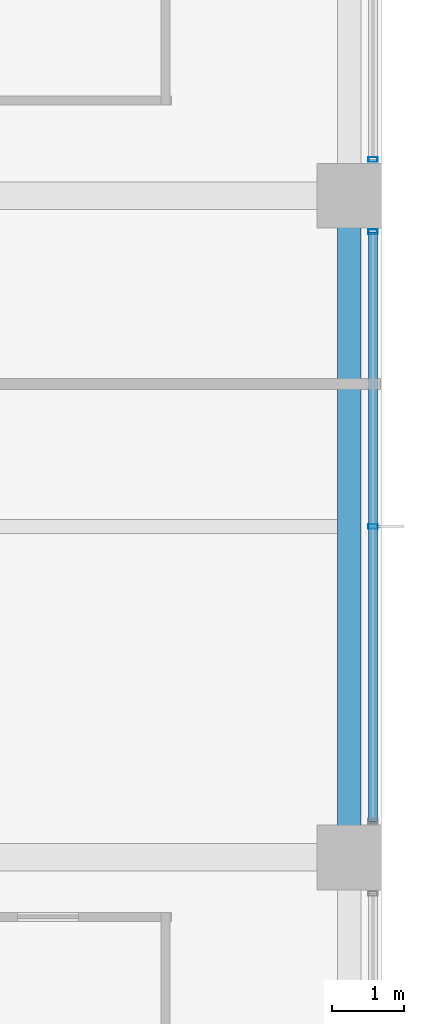
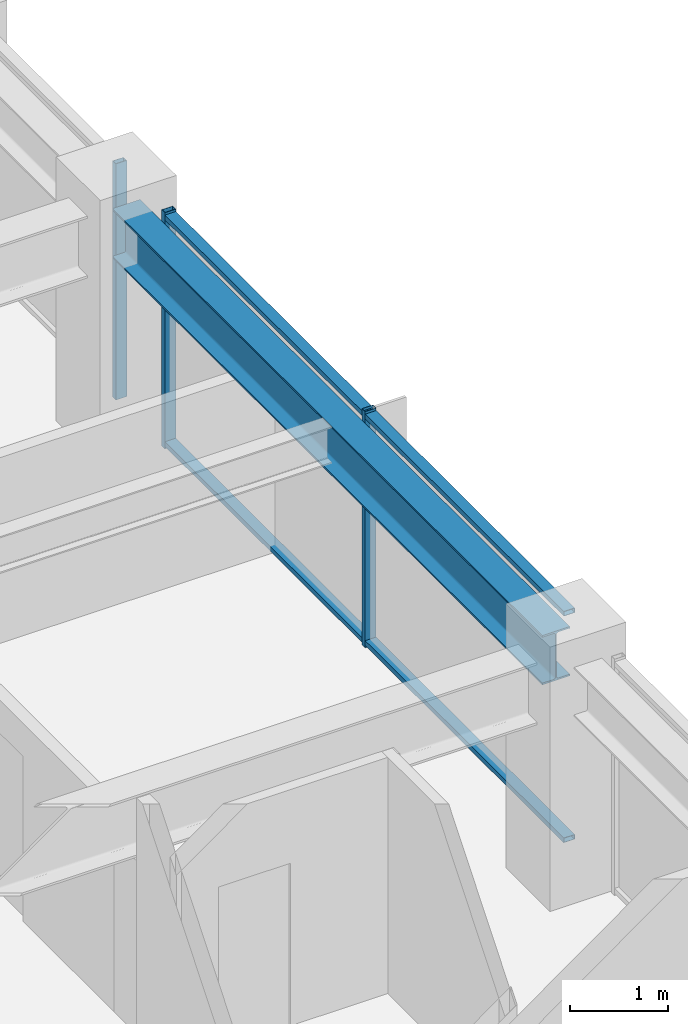
# One storey, part 14 of 31: 5 members, 1 beam, 2 elements without a shape of their own.
"""IFC4 building model written with IfcOpenShell, lengths in metres."""

from ifc_helpers import new_model, si_unit, direction, frame, origin, origin_2d, place, context, subcontext, project, spatial, hollow_rectangle, i_section, extrude, material, material_profile, profile_set, type_object, element, aggregate, save


model = new_model("IFC4")

# Units and contexts
model_context = context("Model", 3, precision=1e-05, world=origin(), true_north=direction((0.0, 1.0)))
body_context = subcontext(model_context, "Body", "Model", "MODEL_VIEW")
ifc_project = project(units=[si_unit("LENGTHUNIT", "METRE"), si_unit("AREAUNIT", "SQUARE_METRE"), si_unit("VOLUMEUNIT", "CUBIC_METRE"), si_unit("PLANEANGLEUNIT", "RADIAN"), si_unit("MASSUNIT", "GRAM", prefix="KILO")], contexts=[model_context])

# Site, building, storey
site_placement = place(None, origin())
site = spatial("IfcSite", under=ifc_project, at=site_placement, CompositionType="ELEMENT")
building_placement = place(site_placement, origin())
building = spatial("IfcBuilding", under=site, at=building_placement, Name="Kolvaren Belvedere", CompositionType="ELEMENT")
storey_placement = place(building_placement, frame((0.0, 0.0, 144.800048828125)))
storey = spatial("IfcBuildingStorey", under=building, at=storey_placement, Name="L42", CompositionType="ELEMENT", Elevation=144.800048828125)

# Beam
ifc_material_1 = material(Name="Structural steel ASTM A992 Grade 50", Category="steel")
ifc_material_profile_1 = material_profile(ifc_material_1, i_section(OverallWidth=0.324951171875, OverallDepth=0.615966796875, WebThickness=0.013916015625, FlangeThickness=0.021484375, FilletRadius=0.02001953125, at=origin_2d()), Name="W24X117")
ifc_profile_set_1 = profile_set([ifc_material_profile_1], Name="Structural steel ASTM A992 Grade 50")
beam_type = type_object("IfcBeamType", Name="BM-SPAN-W24X117", PredefinedType="SPANDREL", material=ifc_profile_set_1)
beam_placement = place(storey_placement, frame((17.550048828125, -4.3974609375, 2.641845703125), z_axis=(0.0, 1.0, 0.0), x_axis=(-1.0, 0.0, 0.0)))
element("IfcBeam", 1, at=beam_placement, inside=storey, type_object=beam_type, Name="L42 Perimeter Spandrel E2-E3", PredefinedType="SPANDREL", context=body_context, shape_type="SweptSolid", body=[
    extrude(i_section(OverallWidth=0.324951171875, OverallDepth=0.615966796875, WebThickness=0.013916015625, FlangeThickness=0.021484375, FilletRadius=0.02001953125, at=origin_2d()), origin(), (0.0, 0.0, 1.0), 8.794921875),
])

# Curtain wall, member
ifc_material_2 = material(Name="Anodised pale-metal aluminium AA 6063-T6", Category="aluminium")
curtain_wall_type = type_object("IfcCurtainWallType", Name="CW-Z3-WAIST", PredefinedType="NOTDEFINED", material=ifc_material_2)
curtain_wall_1_placement = place(storey_placement, origin())
curtain_wall_1 = element("IfcCurtainWall", 2, at=curtain_wall_1_placement, inside=storey, type_object=curtain_wall_type, Name="L42 Unitised Curtain Wall FCW-L42-E-B1", PredefinedType="NOTDEFINED")
ifc_material_3 = material(Name="Anodised pale-metal aluminium AA 6063-T6", Category="aluminium")
ifc_material_profile_2 = material_profile(ifc_material_3, hollow_rectangle(XDim=0.06494140625, YDim=0.1298828125, WallThickness=0.00390625, at=origin_2d()), Name="ALU-MUL-130X65")
ifc_profile_set_2 = profile_set([ifc_material_profile_2], Name="Anodised pale-metal aluminium AA 6063-T6")
member_type_1 = type_object("IfcMemberType", Name="CW-MUL-130", PredefinedType="MULLION", material=ifc_profile_set_2)
member_1_placement = place(storey_placement, frame((17.8798828125, 5.1025390625, 0.0), z_axis=(0.0, 0.0, 1.0), x_axis=(0.0, 1.0, 0.0)))
member_1 = element("IfcMember", 3, at=member_1_placement, type_object=member_type_1, Name="FCW-L42-E-B1 Unitised Mullion 3", PredefinedType="MULLION", context=body_context, shape_type="SweptSolid", body=[
    extrude(hollow_rectangle(XDim=0.06494140625, YDim=0.1298828125, WallThickness=0.00390625, at=origin_2d()), origin(), (0.0, 0.0, 1.0), 2.949951171875),
])
aggregate(curtain_wall_1, [member_1])

# Curtain wall, members
curtain_wall_2_placement = place(storey_placement, origin())
curtain_wall_2 = element("IfcCurtainWall", 4, at=curtain_wall_2_placement, inside=storey, type_object=curtain_wall_type, Name="L42 Unitised Curtain Wall FCW-L42-E-B2", PredefinedType="NOTDEFINED")
member_2_placement = place(storey_placement, frame((17.8798828125, 4.097412109375, 0.0), z_axis=(0.0, 0.0, 1.0), x_axis=(0.0, 1.0, 0.0)))
member_2 = element("IfcMember", 5, at=member_2_placement, type_object=member_type_1, Name="FCW-L42-E-B2 Unitised Mullion 1", PredefinedType="MULLION", context=body_context, shape_type="SweptSolid", body=[
    extrude(hollow_rectangle(XDim=0.06494140625, YDim=0.1298828125, WallThickness=0.00390625, at=origin_2d()), origin(), (0.0, 0.0, 1.0), 2.949951171875),
])
member_3_placement = place(storey_placement, frame((17.8798828125, 0.0, 0.0), z_axis=(0.0, 0.0, 1.0), x_axis=(0.0, 1.0, 0.0)))
member_3 = element("IfcMember", 6, at=member_3_placement, type_object=member_type_1, Name="FCW-L42-E-B2 Unitised Mullion 2", PredefinedType="MULLION", context=body_context, shape_type="SweptSolid", body=[
    extrude(hollow_rectangle(XDim=0.06494140625, YDim=0.1298828125, WallThickness=0.00390625, at=origin_2d()), origin(), (0.0, 0.0, 1.0), 2.949951171875),
])
ifc_material_4 = material(Name="Anodised pale-metal aluminium AA 6063-T6", Category="aluminium")
ifc_material_profile_3 = material_profile(ifc_material_4, hollow_rectangle(XDim=0.06005859375, YDim=0.1298828125, WallThickness=0.00390625, at=origin_2d()), Name="ALU-TRN-130X60")
ifc_profile_set_3 = profile_set([ifc_material_profile_3], Name="Anodised pale-metal aluminium AA 6063-T6")
member_type_2 = type_object("IfcMemberType", Name="CW-TRN-130", PredefinedType="USERDEFINED", material=ifc_profile_set_3)
member_4_placement = place(storey_placement, frame((17.8798828125, 4.097412109375, 0.06005859375), z_axis=(0.0, -1.0, 0.0), x_axis=(0.0, 0.0, 1.0)))
member_4 = element("IfcMember", 7, at=member_4_placement, type_object=member_type_2, Name="FCW-L42-E-B2 Sill Transom", ObjectType="TRANSOM", PredefinedType="USERDEFINED", context=body_context, shape_type="SweptSolid", body=[
    extrude(hollow_rectangle(XDim=0.06005859375, YDim=0.1298828125, WallThickness=0.00390625, at=origin_2d()), origin(), (0.0, 0.0, 1.0), 8.19482421875),
])
member_5_placement = place(storey_placement, frame((17.8798828125, 4.097412109375, 2.889892578125), z_axis=(0.0, -1.0, 0.0), x_axis=(0.0, 0.0, 1.0)))
member_5 = element("IfcMember", 8, at=member_5_placement, type_object=member_type_2, Name="FCW-L42-E-B2 Head Transom", ObjectType="TRANSOM", PredefinedType="USERDEFINED", context=body_context, shape_type="SweptSolid", body=[
    extrude(hollow_rectangle(XDim=0.06005859375, YDim=0.1298828125, WallThickness=0.00390625, at=origin_2d()), origin(), (0.0, 0.0, 1.0), 8.19482421875),
])
aggregate(curtain_wall_2, [member_2, member_3, member_4, member_5])

save(model, "model.ifc")
